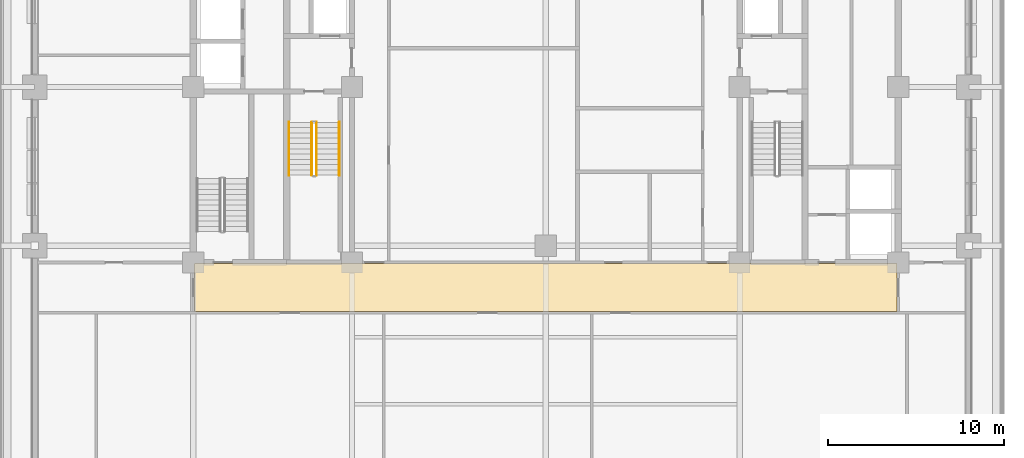
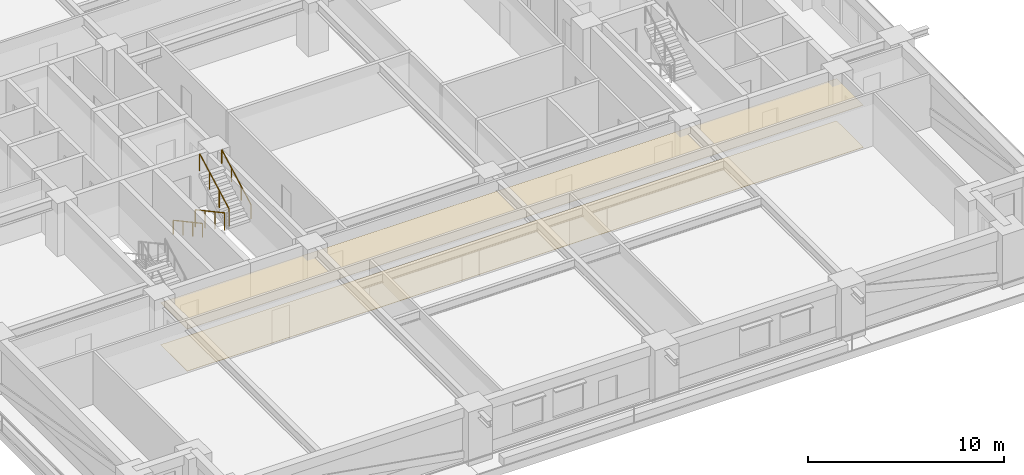
# One storey, part 11 of 14: 4 railings, 2 coverings.
"""IFC4 building model written with IfcOpenShell, lengths in metres."""

from ifc_helpers import new_model, si_unit, direction, frame, origin, origin_2d, place, context, subcontext, project, spatial, polyline, rectangle, outline, extrude, material, layer, layer_set, type_object, element, save


model = new_model("IFC4")

# Units and contexts
model_context = context("Model", 3, precision=1e-05, world=origin(), true_north=direction((0.0, 1.0)))
body_context = subcontext(model_context, "Body", "Model", "MODEL_VIEW")
ifc_project = project(units=[si_unit("LENGTHUNIT", "METRE"), si_unit("AREAUNIT", "SQUARE_METRE"), si_unit("VOLUMEUNIT", "CUBIC_METRE"), si_unit("PLANEANGLEUNIT", "RADIAN"), si_unit("MASSUNIT", "GRAM", prefix="KILO")], contexts=[model_context])

# Site, building, storey
site_placement = place(None, origin())
site = spatial("IfcSite", under=ifc_project, at=site_placement, CompositionType="ELEMENT")
building_placement = place(site_placement, origin())
building = spatial("IfcBuilding", under=site, at=building_placement, Name="Zulmaris Gate Convention Tower", CompositionType="ELEMENT")
storey_placement = place(building_placement, frame((0.0, 0.0, 64.329833984375)))
storey = spatial("IfcBuildingStorey", under=building, at=storey_placement, Name="L15", CompositionType="ELEMENT", Elevation=64.329833984375)

# Coverings
ifc_material_1 = material(Name="Mineral Fibre Acoustic Ceiling Tile")
ifc_layer_1 = layer(ifc_material_1, 0.02001953125, Name="Mineral Fibre Acoustic Ceiling Tile")
ifc_layer_set_1 = layer_set([ifc_layer_1], Name="Mineral Fibre Acoustic Ceiling Tile")
covering_type_1 = type_object("IfcCoveringType", Name="CLG-ACOUSTIC-600", PredefinedType="CEILING", material=ifc_layer_set_1)
covering_1_placement = place(storey_placement, frame((0.0, 0.0, 2.628173828125)))
element("IfcCovering", 1, at=covering_1_placement, inside=storey, type_object=covering_type_1, Name="CLG-L15-R30", PredefinedType="CEILING", context=body_context, shape_type="SweptSolid", body=[
    extrude(outline(polyline([(-19.93994140625, -12.739990234375), (19.93994140625, -12.739990234375), (19.93994140625, -10.010009765625), (-19.93994140625, -10.010009765625), (-19.93994140625, -12.739990234375)])), origin(), (0.0, 0.0, 1.0), 0.019775390625),
])
ifc_material_2 = material(Name="Woven Acoustic Wool Carpet Tile")
ifc_layer_2 = layer(ifc_material_2, 0.02001953125, Name="Woven Acoustic Wool Carpet Tile")
ifc_layer_set_2 = layer_set([ifc_layer_2], Name="Woven Acoustic Wool Carpet Tile")
covering_type_2 = type_object("IfcCoveringType", Name="FLR-CARPET-12", PredefinedType="FLOORING", material=ifc_layer_set_2)
covering_2_placement = place(storey_placement, origin())
element("IfcCovering", 2, at=covering_2_placement, inside=storey, type_object=covering_type_2, Name="FLR-L15-R30", PredefinedType="FLOORING", context=body_context, shape_type="SweptSolid", body=[
    extrude(outline(polyline([(-19.93994140625, -12.739990234375), (19.93994140625, -12.739990234375), (19.93994140625, -10.010009765625), (-19.93994140625, -10.010009765625), (-19.93994140625, -12.739990234375)])), origin(), (0.0, 0.0, 1.0), 0.02001953125),
])

# Railings
ifc_material_3 = material(Name="Painted Galvanised Steel", Category="steel")
railing_type_1 = type_object("IfcRailingType", Name="RL-STG-1150", PredefinedType="GUARDRAIL", material=ifc_material_3)
railing_1_placement = place(storey_placement, frame((-13.27001953125, -2.0, 0.162353515625)))
element("IfcRailing", 3, at=railing_1_placement, inside=storey, type_object=railing_type_1, Name="L15 ST-1 stair guard 1", PredefinedType="GUARDRAIL", context=body_context, shape_type="SweptSolid", body=[
    extrude(rectangle(XDim=0.048095703125, YDim=0.048095703125, at=origin_2d()), frame((0.0, 0.0, 1.076171875), z_axis=(0.0, -0.879591569277, 0.475729619907), x_axis=(1.0, 0.0, 0.0)), (0.0, 0.0, 1.0), 3.41064453125),
    extrude(rectangle(XDim=0.0419921875, YDim=0.0419921875, at=origin_2d()), origin(), (0.0, 0.0, 1.0), 1.052001953125),
    extrude(rectangle(XDim=0.0419921875, YDim=0.0419921875, at=origin_2d()), frame((0.0, -1.0, 0.540771484375)), (0.0, 0.0, 1.0), 1.052001953125),
    extrude(rectangle(XDim=0.0419921875, YDim=0.0419921875, at=origin_2d()), frame((0.0, -2.0, 1.081787109375)), (0.0, 0.0, 1.0), 1.052001953125),
    extrude(rectangle(XDim=0.0419921875, YDim=0.0419921875, at=origin_2d()), frame((0.0, -3.0, 1.62255859375)), (0.0, 0.0, 1.0), 1.052001953125),
])
railing_2_placement = place(storey_placement, frame((-13.010009765625, -5.0, 1.947265625)))
element("IfcRailing", 4, at=railing_2_placement, inside=storey, type_object=railing_type_1, Name="L15 ST-1 stair guard 3", PredefinedType="GUARDRAIL", context=body_context, shape_type="SweptSolid", body=[
    extrude(rectangle(XDim=0.048095703125, YDim=0.048095703125, at=origin_2d()), frame((0.0, 0.0, 1.076171875), z_axis=(0.0, 0.8795616155, 0.475784998228), x_axis=(-1.0, 0.0, 0.0)), (0.0, 0.0, 1.0), 3.410888671875),
    extrude(rectangle(XDim=0.0419921875, YDim=0.0419921875, at=origin_2d()), origin(), (0.0, 0.0, 1.0), 1.052001953125),
    extrude(rectangle(XDim=0.0419921875, YDim=0.0419921875, at=origin_2d()), frame((0.0, 1.0, 0.541015625)), (0.0, 0.0, 1.0), 1.052001953125),
    extrude(rectangle(XDim=0.0419921875, YDim=0.0419921875, at=origin_2d()), frame((0.0, 2.0, 1.081787109375)), (0.0, 0.0, 1.0), 1.052001953125),
    extrude(rectangle(XDim=0.0419921875, YDim=0.0419921875, at=origin_2d()), frame((0.0, 3.0, 1.622802734375)), (0.0, 0.0, 1.0), 1.052001953125),
])
ifc_material_4 = material(Name="Brushed Stainless Steel", Category="steel")
railing_type_2 = type_object("IfcRailingType", Name="RL-STH-900", PredefinedType="HANDRAIL", material=ifc_material_4)
railing_3_placement = place(storey_placement, frame((-14.570068359375, -2.0, 0.162353515625)))
element("IfcRailing", 5, at=railing_3_placement, inside=storey, type_object=railing_type_2, Name="L15 ST-1 stair handrail 1", PredefinedType="HANDRAIL", context=body_context, shape_type="SweptSolid", body=[
    extrude(rectangle(XDim=0.048095703125, YDim=0.048095703125, at=origin_2d()), frame((0.0, 0.0, 0.8759765625), z_axis=(0.0, -0.879591569277, 0.475729619907), x_axis=(1.0, 0.0, 0.0)), (0.0, 0.0, 1.0), 3.41064453125),
    extrude(rectangle(XDim=0.0419921875, YDim=0.0419921875, at=origin_2d()), origin(), (0.0, 0.0, 1.0), 0.851806640625),
    extrude(rectangle(XDim=0.0419921875, YDim=0.0419921875, at=origin_2d()), frame((0.0, -1.0, 0.540771484375)), (0.0, 0.0, 1.0), 0.851806640625),
    extrude(rectangle(XDim=0.0419921875, YDim=0.0419921875, at=origin_2d()), frame((0.0, -2.0, 1.081787109375)), (0.0, 0.0, 1.0), 0.851806640625),
    extrude(rectangle(XDim=0.0419921875, YDim=0.0419921875, at=origin_2d()), frame((0.0, -3.0, 1.62255859375)), (0.0, 0.0, 1.0), 0.851806640625),
])
railing_4_placement = place(storey_placement, frame((-11.7099609375, -5.0, 1.947265625)))
element("IfcRailing", 6, at=railing_4_placement, inside=storey, type_object=railing_type_2, Name="L15 ST-1 stair handrail 2", PredefinedType="HANDRAIL", context=body_context, shape_type="SweptSolid", body=[
    extrude(rectangle(XDim=0.048095703125, YDim=0.048095703125, at=origin_2d()), frame((0.0, 0.0, 0.8759765625), z_axis=(0.0, 0.8795616155, 0.475784998228), x_axis=(-1.0, 0.0, 0.0)), (0.0, 0.0, 1.0), 3.410888671875),
    extrude(rectangle(XDim=0.0419921875, YDim=0.0419921875, at=origin_2d()), origin(), (0.0, 0.0, 1.0), 0.851806640625),
    extrude(rectangle(XDim=0.0419921875, YDim=0.0419921875, at=origin_2d()), frame((0.0, 1.0, 0.541015625)), (0.0, 0.0, 1.0), 0.851806640625),
    extrude(rectangle(XDim=0.0419921875, YDim=0.0419921875, at=origin_2d()), frame((0.0, 2.0, 1.081787109375)), (0.0, 0.0, 1.0), 0.851806640625),
    extrude(rectangle(XDim=0.0419921875, YDim=0.0419921875, at=origin_2d()), frame((0.0, 3.0, 1.622802734375)), (0.0, 0.0, 1.0), 0.851806640625),
])

save(model, "model.ifc")
